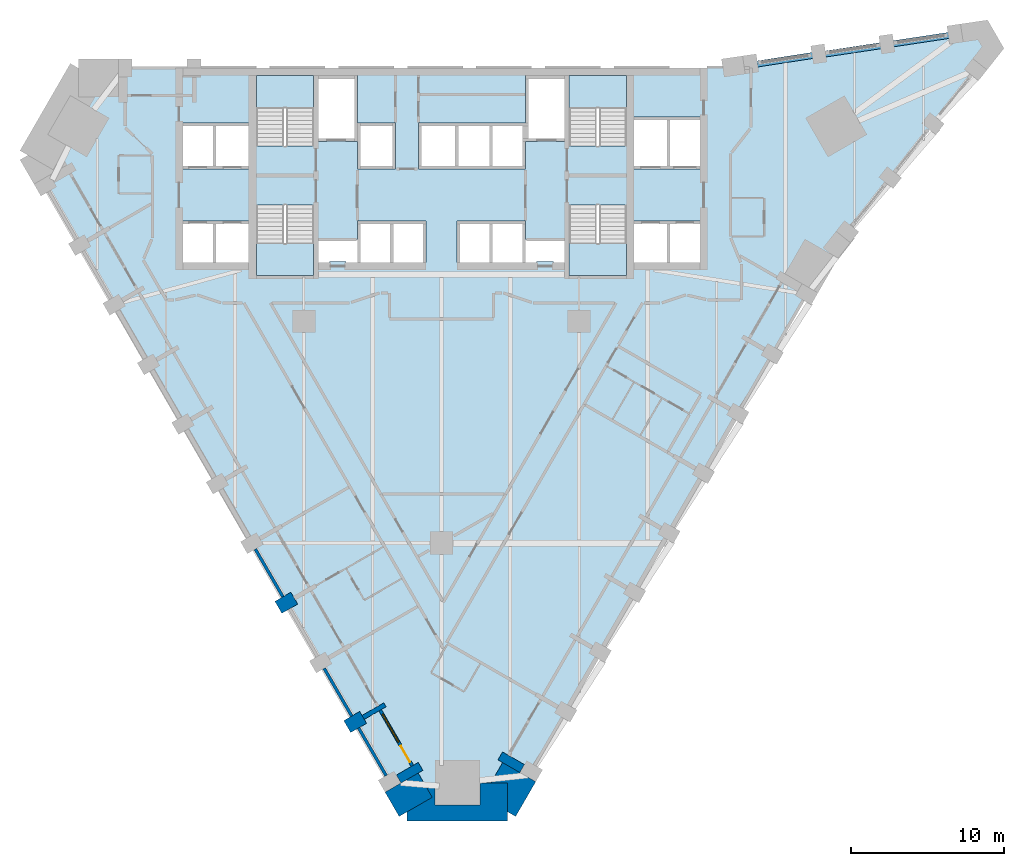
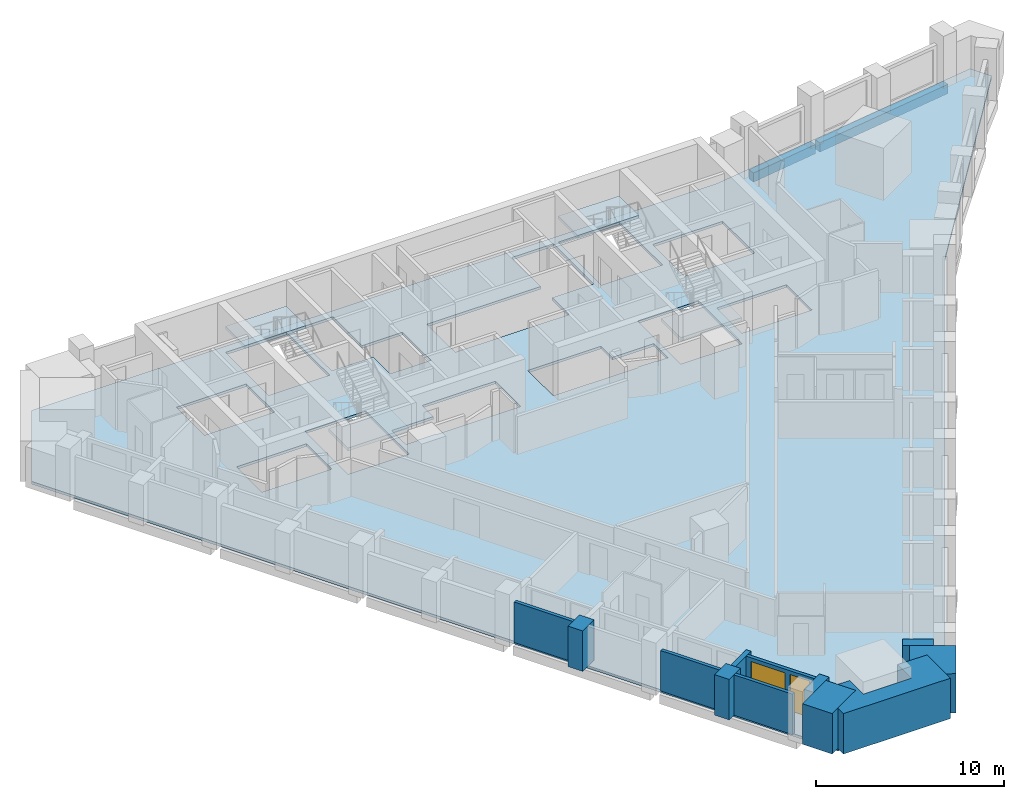
# One storey, part 2 of 10: 12 walls, 5 slabs, 2 beams, 1 door, 1 window, 2 openings, 4 elements without a shape of their own.
"""IFC4 building model written with IfcOpenShell, lengths in metres."""

from ifc_helpers import new_model, si_unit, direction, frame, frame_2d, origin, origin_2d, place, context, subcontext, project, spatial, polyline, rectangle, outline, extrude, material, layer, layer_set, material_profile, profile_set, type_object, element, fill, aggregate, save


model = new_model("IFC4")

# Units and contexts
model_context = context("Model", 3, precision=1e-05, world=origin(), true_north=direction((0.0, 1.0)))
body_context = subcontext(model_context, "Body", "Model", "MODEL_VIEW")
ifc_project = project(units=[si_unit("LENGTHUNIT", "METRE"), si_unit("AREAUNIT", "SQUARE_METRE"), si_unit("VOLUMEUNIT", "CUBIC_METRE"), si_unit("PLANEANGLEUNIT", "RADIAN"), si_unit("MASSUNIT", "GRAM", prefix="KILO")], contexts=[model_context])

# Site, building, storey
site_placement = place(None, origin())
site = spatial("IfcSite", under=ifc_project, at=site_placement, CompositionType="ELEMENT")
building_placement = place(site_placement, origin())
building = spatial("IfcBuilding", under=site, at=building_placement, Name="Calabash Gate Tower", CompositionType="ELEMENT")
storey_placement = place(building_placement, frame((0.0, 0.0, 102.0)))
storey = spatial("IfcBuildingStorey", under=building, at=storey_placement, Name="L22", CompositionType="ELEMENT", Elevation=102.0)

# Beams
ifc_material_1 = material(Name="Concrete C60/75", Category="concrete")
ifc_material_profile = material_profile(ifc_material_1, rectangle(XDim=0.39990234375, YDim=0.60009765625, at=origin_2d()))
ifc_profile_set = profile_set([ifc_material_profile], Name="Concrete C60/75")
beam_type = type_object("IfcBeamType", Name="Edge beam RC 400x600 Concrete C60/75", PredefinedType="BEAM", material=ifc_profile_set)
beam_1_placement = place(storey_placement, frame((33.737060546875, 21.27392578125, -0.469970703125), z_axis=(-0.988841625555, -0.148970599683, 0.0), x_axis=(0.148970599683, -0.988841625555, 0.0)))
element("IfcBeam", 1, at=beam_1_placement, inside=storey, type_object=beam_type, Name="Edge beam L22 15", PredefinedType="BEAM", context=body_context, shape_type="SweptSolid", body=[
    extrude(rectangle(XDim=0.39990234375, YDim=0.60009765625, at=origin_2d()), origin(), (0.0, 0.0, 1.0), 8.7333984375),
])
beam_2_placement = place(storey_placement, frame((24.83203125, 19.968017578125, -0.469970703125), z_axis=(-0.988255414285, -0.152811112607, 0.0), x_axis=(0.152811112607, -0.988255414285, 0.0)))
element("IfcBeam", 2, at=beam_2_placement, inside=storey, type_object=beam_type, Name="Edge beam L22 16", PredefinedType="BEAM", context=body_context, shape_type="SweptSolid", body=[
    extrude(rectangle(XDim=0.39990234375, YDim=0.60009765625, at=origin_2d()), origin(), (0.0, 0.0, 1.0), 4.23388671875),
])

# Slab
ifc_material_2 = material(Name="Concrete C40/50", Category="concrete")
ifc_layer_1 = layer(ifc_material_2, 0.169921875)
ifc_layer_set_1 = layer_set([ifc_layer_1], Name="Composite floor slab 170 Concrete C40/50")
slab_type_1 = type_object("IfcSlabType", Name="Composite floor slab 170 Concrete C40/50", PredefinedType="FLOOR", material=ifc_layer_set_1)
slab_1_placement = place(storey_placement, frame((0.0, 0.0, -0.169921875)))
element("IfcSlab", 3, at=slab_1_placement, inside=storey, type_object=slab_type_1, Name="Floor slab L22", PredefinedType="FLOOR", context=body_context, shape_type="SweptSolid", body=[
    extrude(outline(polyline([(-27.03125, 13.3544921875), (-23.741455078125, 19.052490234375), (18.4033203125, 19.052490234375), (35.385498046875, 21.54150390625), (36.050048828125, 20.390625), (25.4033203125, 6.92822265625), (4.3310546875, -29.5703125), (-2.24853515625, -29.5703125), (-27.03125, 13.3544921875)]), holes=[polyline([(-5.5, 9.052490234375), (-5.5, 7.8525390625), (-8.050048828125, 7.8525390625), (-8.050048828125, 6.3525390625), (-7.324951171875, 6.3525390625), (-7.324951171875, 6.402587890625), (-6.22509765625, 6.402587890625), (-6.22509765625, 6.3525390625), (-5.5, 6.3525390625), (-3.25, 6.3525390625), (-1.0, 6.3525390625), (-1.0, 9.052490234375), (-3.25, 9.052490234375), (-5.5, 9.052490234375)]), polyline([(5.5, 9.052490234375), (3.25, 9.052490234375), (1.0, 9.052490234375), (1.0, 6.3525390625), (3.25, 6.3525390625), (5.5, 6.3525390625), (6.22509765625, 6.3525390625), (6.22509765625, 6.402587890625), (7.324951171875, 6.402587890625), (7.324951171875, 6.3525390625), (8.050048828125, 6.3525390625), (8.050048828125, 7.8525390625), (5.5, 7.8525390625), (5.5, 9.052490234375)]), polyline([(-5.5, 14.252685546875), (-5.5, 12.45263671875), (-3.0, 12.45263671875), (-3.0, 15.45263671875), (-5.5, 15.45263671875), (-5.5, 18.552490234375), (-8.050048828125, 18.552490234375), (-8.050048828125, 14.252685546875), (-5.5, 14.252685546875)]), polyline([(8.050048828125, 18.552490234375), (5.5, 18.552490234375), (5.5, 15.45263671875), (3.25, 15.45263671875), (1.0, 15.45263671875), (-1.5, 15.45263671875), (-1.5, 12.45263671875), (1.0, 12.45263671875), (3.25, 12.45263671875), (5.5, 12.45263671875), (5.5, 14.252685546875), (8.050048828125, 14.252685546875), (8.050048828125, 18.552490234375)]), polyline([(-12.60009765625, 6.3525390625), (-12.60009765625, 9.052490234375), (-14.85009765625, 9.052490234375), (-16.89990234375, 9.052490234375), (-16.89990234375, 6.3525390625), (-14.85009765625, 6.3525390625), (-12.60009765625, 6.3525390625)]), polyline([(-14.85009765625, 12.45263671875), (-12.60009765625, 12.45263671875), (-12.60009765625, 15.45263671875), (-14.85009765625, 15.45263671875), (-16.89990234375, 15.45263671875), (-16.89990234375, 12.45263671875), (-14.85009765625, 12.45263671875)]), polyline([(14.85009765625, 6.3525390625), (16.89990234375, 6.3525390625), (16.89990234375, 9.052490234375), (14.85009765625, 9.052490234375), (12.60009765625, 9.052490234375), (12.60009765625, 6.3525390625), (14.85009765625, 6.3525390625)]), polyline([(14.85009765625, 12.45263671875), (16.89990234375, 12.45263671875), (16.89990234375, 15.8525390625), (14.85009765625, 15.8525390625), (12.60009765625, 15.8525390625), (12.60009765625, 12.45263671875), (14.85009765625, 12.45263671875)]), polyline([(-8.35009765625, 18.552490234375), (-12.10009765625, 18.552490234375), (-12.10009765625, 13.95263671875), (-8.35009765625, 13.95263671875), (-8.35009765625, 18.552490234375)]), polyline([(-12.10009765625, 10.1025390625), (-12.10009765625, 5.502685546875), (-8.35009765625, 5.502685546875), (-8.35009765625, 10.1025390625), (-12.10009765625, 10.1025390625)]), polyline([(8.35009765625, 13.95263671875), (12.10009765625, 13.95263671875), (12.10009765625, 18.552490234375), (8.35009765625, 18.552490234375), (8.35009765625, 13.95263671875)]), polyline([(12.10009765625, 5.502685546875), (12.10009765625, 10.1025390625), (8.35009765625, 10.1025390625), (8.35009765625, 5.502685546875), (12.10009765625, 5.502685546875)])]), origin(), (0.0, 0.0, 1.0), 0.169921875),
])

# Stair, slab
ifc_material_3 = material(Name="Concrete C40/50", Category="concrete")
stair_type = type_object("IfcStairType", Name="Exit stair 20 risers of 170 mm", PredefinedType="HALF_TURN_STAIR", material=ifc_material_3)
stair_1_placement = place(storey_placement, origin())
stair_1 = element("IfcStair", 4, at=stair_1_placement, inside=storey, type_object=stair_type, Name="L22 Exit stair ST1", PredefinedType="HALF_TURN_STAIR")
ifc_material_4 = material(Name="Concrete C40/50", Category="concrete")
ifc_layer_2 = layer(ifc_material_4, 0.199951171875)
ifc_layer_set_2 = layer_set([ifc_layer_2], Name="Stair landing SL200")
slab_type_2 = type_object("IfcSlabType", Name="Stair landing SL200", PredefinedType="LANDING", material=ifc_layer_set_2)
slab_2_placement = place(storey_placement, frame((0.0, 0.0, 1.5)))
slab_2 = element("IfcSlab", 5, at=slab_2_placement, type_object=slab_type_2, Name="ST1 landing 1", PredefinedType="LANDING", context=body_context, shape_type="SweptSolid", body=[
    extrude(outline(polyline([(-8.35009765625, 16.463623046875), (-8.35009765625, 18.552490234375), (-12.10009765625, 18.552490234375), (-12.10009765625, 16.463623046875), (-8.35009765625, 16.463623046875)])), origin(), (0.0, 0.0, 1.0), 0.199951171875),
])
aggregate(stair_1, [slab_2])

stair_2_placement = place(storey_placement, origin())
stair_2 = element("IfcStair", 6, at=stair_2_placement, inside=storey, type_object=stair_type, Name="L22 Exit stair ST2", PredefinedType="HALF_TURN_STAIR")
slab_3_placement = place(storey_placement, frame((0.0, 0.0, 1.5)))
slab_3 = element("IfcSlab", 7, at=slab_3_placement, type_object=slab_type_2, Name="ST2 landing 1", PredefinedType="LANDING", context=body_context, shape_type="SweptSolid", body=[
    extrude(outline(polyline([(-12.10009765625, 7.591552734375), (-12.10009765625, 5.502685546875), (-8.35009765625, 5.502685546875), (-8.35009765625, 7.591552734375), (-12.10009765625, 7.591552734375)])), origin(), (0.0, 0.0, 1.0), 0.199951171875),
])
aggregate(stair_2, [slab_3])

stair_3_placement = place(storey_placement, origin())
stair_3 = element("IfcStair", 8, at=stair_3_placement, inside=storey, type_object=stair_type, Name="L22 Exit stair ST3", PredefinedType="HALF_TURN_STAIR")
slab_4_placement = place(storey_placement, frame((0.0, 0.0, 1.5)))
slab_4 = element("IfcSlab", 9, at=slab_4_placement, type_object=slab_type_2, Name="ST3 landing 1", PredefinedType="LANDING", context=body_context, shape_type="SweptSolid", body=[
    extrude(outline(polyline([(12.10009765625, 16.463623046875), (12.10009765625, 18.552490234375), (8.35009765625, 18.552490234375), (8.35009765625, 16.463623046875), (12.10009765625, 16.463623046875)])), origin(), (0.0, 0.0, 1.0), 0.199951171875),
])
aggregate(stair_3, [slab_4])

stair_4_placement = place(storey_placement, origin())
stair_4 = element("IfcStair", 10, at=stair_4_placement, inside=storey, type_object=stair_type, Name="L22 Exit stair ST4", PredefinedType="HALF_TURN_STAIR")
slab_5_placement = place(storey_placement, frame((0.0, 0.0, 1.5)))
slab_5 = element("IfcSlab", 11, at=slab_5_placement, type_object=slab_type_2, Name="ST4 landing 1", PredefinedType="LANDING", context=body_context, shape_type="SweptSolid", body=[
    extrude(outline(polyline([(8.35009765625, 7.591552734375), (8.35009765625, 5.502685546875), (12.10009765625, 5.502685546875), (12.10009765625, 7.591552734375), (8.35009765625, 7.591552734375)])), origin(), (0.0, 0.0, 1.0), 0.199951171875),
])
aggregate(stair_4, [slab_5])

# Walls
ifc_material_5 = material(Name="Terracotta brick masonry, exposed face", Category="masonry")
ifc_layer_3 = layer(ifc_material_5, 2.5)
ifc_layer_set_3 = layer_set([ifc_layer_3], Name="Brick corner mass wall 2500")
wall_type_1 = type_object("IfcWallType", Name="Brick corner mass wall 2500", PredefinedType="SOLIDWALL", material=ifc_layer_set_3)
wall_1_placement = place(storey_placement, origin())
element("IfcWall", 12, at=wall_1_placement, inside=storey, type_object=wall_type_1, Name="Brick corner pier S06 1a", PredefinedType="SOLIDWALL", context=body_context, shape_type="SweptSolid", body=[
    extrude(outline(polyline([(-0.60302734375, -28.6201171875), (-1.51953125, -27.033203125), (-3.6845703125, -28.283203125), (-2.76806640625, -29.8701171875), (-0.60302734375, -28.6201171875)])), origin(), (0.0, 0.0, 1.0), 2.6298828125),
])
wall_2_placement = place(storey_placement, origin())
element("IfcWall", 13, at=wall_2_placement, inside=storey, type_object=wall_type_1, Name="Brick corner pier S06 1b", PredefinedType="SOLIDWALL", context=body_context, shape_type="SweptSolid", body=[
    extrude(outline(polyline([(-0.43408203125, -27.670166015625), (-1.151611328125, -27.670166015625), (-0.60302734375, -28.6201171875), (-2.24853515625, -29.5703125), (-2.24853515625, -30.170166015625), (4.3310546875, -30.170166015625), (4.3310546875, -27.670166015625), (2.51611328125, -27.670166015625), (2.51611328125, -29.1259765625), (-0.43408203125, -29.1259765625), (-0.43408203125, -27.670166015625)])), origin(), (0.0, 0.0, 1.0), 2.6298828125),
])
wall_3_placement = place(storey_placement, origin())
element("IfcWall", 14, at=wall_3_placement, inside=storey, type_object=wall_type_1, Name="Brick corner pier S06 1c", PredefinedType="SOLIDWALL", context=body_context, shape_type="SweptSolid", body=[
    extrude(outline(polyline([(6.161865234375, -27.59912109375), (3.996826171875, -26.34912109375), (3.23388671875, -27.670166015625), (4.3310546875, -27.670166015625), (4.3310546875, -29.5703125), (4.8505859375, -29.8701171875), (6.161865234375, -27.59912109375)])), origin(), (0.0, 0.0, 1.0), 2.552001953125),
])
ifc_material_6 = material(Name="Terracotta brick masonry, exposed face", Category="masonry")
ifc_layer_4 = layer(ifc_material_6, 1.199951171875)
ifc_layer_set_4 = layer_set([ifc_layer_4], Name="Brick end wall 1200")
wall_type_2 = type_object("IfcWallType", Name="Brick end wall 1200", PredefinedType="SOLIDWALL", material=ifc_layer_set_4)
for number, where, z_axis, x_axis, name in (
    (15, (-10.659423828125, -16.2021484375, 0.0), (0.0, 0.0, 1.0), (0.865955154139, 0.50012165622, 0.0), "Brick pier S06 SW0.7"),
    (16, (-6.159423828125, -23.996337890625, 0.0), (0.0, 0.0, 1.0), (0.865955154139, 0.50012165622, 0.0), "Brick pier S06 SW0.9"),
):
    element("IfcWall", number, at=place(storey_placement, frame(where, z_axis=z_axis, x_axis=x_axis)), inside=storey, type_object=wall_type_2, Name=name, PredefinedType="SOLIDWALL", context=body_context, shape_type="SweptSolid", body=[
        extrude(rectangle(XDim=1.199951171875, YDim=0.89990234375, at=frame_2d((0.60009765625, 0.0))), origin(), (0.0, 0.0, 1.0), 2.6298828125),
    ])
ifc_material_7 = material(Name="Terracotta brick masonry, exposed face", Category="masonry")
ifc_layer_5 = layer(ifc_material_7, 0.300048828125)
ifc_layer_set_5 = layer_set([ifc_layer_5], Name="Brick loggia cheek wall 300")
wall_type_3 = type_object("IfcWallType", Name="Brick loggia cheek wall 300", PredefinedType="SOLIDWALL", material=ifc_layer_set_5)
wall_4_placement = place(storey_placement, frame((-3.69140625, -22.5712890625, 0.0), z_axis=(0.0, 0.0, 1.0), x_axis=(-0.866040211805, -0.499974350878, 0.0)))
element("IfcWall", 17, at=wall_4_placement, inside=storey, type_object=wall_type_3, Name="Loggia cheek S06 SW0.9", PredefinedType="SOLIDWALL", context=body_context, shape_type="SweptSolid", body=[
    extrude(rectangle(XDim=1.64990234375, YDim=0.300048828125, at=frame_2d((0.824951171875, 0.0))), origin(), (0.0, 0.0, 1.0), 2.6279296875),
])
wall_5_placement = place(storey_placement, frame((-2.795166015625, -27.42333984375, 0.0), z_axis=(0.0, 0.0, 1.0), x_axis=(0.866040211805, 0.499974350878, 0.0)))
element("IfcWall", 18, at=wall_5_placement, inside=storey, type_object=wall_type_3, Name="Loggia cheek S06 SW0.10", PredefinedType="SOLIDWALL", context=body_context, shape_type="SweptSolid", body=[
    extrude(rectangle(XDim=1.64990234375, YDim=0.60009765625, at=frame_2d((0.824951171875, 0.0))), origin(), (0.0, 0.0, 1.0), 2.6298828125),
])
wall_6_placement = place(storey_placement, frame((5.2724609375, -26.739501953125, 0.0), z_axis=(0.0, 0.0, 1.0), x_axis=(-0.865976140824, 0.500085316245, 0.0)))
element("IfcWall", 19, at=wall_6_placement, inside=storey, type_object=wall_type_3, Name="Loggia cheek S06 SE2.0", PredefinedType="SOLIDWALL", context=body_context, shape_type="SweptSolid", body=[
    extrude(rectangle(XDim=1.650146484375, YDim=0.60009765625, at=frame_2d((0.8251953125, 0.0))), origin(), (0.0, 0.0, 1.0), 2.552001953125),
])
ifc_material_8 = material(Name="Terracotta brick masonry, perforated", Category="masonry")
ifc_layer_6 = layer(ifc_material_8, 0.199951171875)
ifc_layer_set_6 = layer_set([ifc_layer_6], Name="Terracotta jaali screen B")
wall_type_4 = type_object("IfcWallType", Name="Terracotta jaali screen B", PredefinedType="SOLIDWALL", material=ifc_layer_set_6)
for number, where, z_axis, x_axis, name in (
    (20, (-12.164794921875, -12.394775390625, 0.0), (0.0, 0.0, 1.0), (0.499961193289, -0.866047807691, 0.0), "SCREEN B S06 SW0.7"),
    (21, (-7.664794921875, -20.18896484375, 0.0), (0.0, 0.0, 1.0), (0.499961193289, -0.866047807691, 0.0), "SCREEN B S06 SW0.9"),
    (22, (-5.414794921875, -24.0859375, 0.0), (0.0, 0.0, 1.0), (0.499961193289, -0.866047807691, 0.0), "SCREEN B S06 SW0.10"),
):
    element("IfcWall", number, at=place(storey_placement, frame(where, z_axis=z_axis, x_axis=x_axis)), inside=storey, type_object=wall_type_4, Name=name, PredefinedType="SOLIDWALL", context=body_context, shape_type="SweptSolid", body=[
        extrude(rectangle(XDim=3.599853515625, YDim=0.199951171875, at=frame_2d((1.7998046875, 0.0))), origin(), (0.0, 0.0, 1.0), 2.6298828125),
    ])

# Wall, openings, door, window
ifc_material_9 = material(Name="Aluminium framed window wall with insulated spandrel", Category="aluminium")
ifc_layer_7 = layer(ifc_material_9, 0.199951171875)
ifc_layer_set_7 = layer_set([ifc_layer_7], Name="Window wall 200")
wall_type_5 = type_object("IfcWallType", Name="Window wall 200", PredefinedType="ELEMENTEDWALL", material=ifc_layer_set_7)
wall_7_placement = place(storey_placement, frame((-4.006103515625, -22.92626953125, 0.0), z_axis=(0.0, 0.0, 1.0), x_axis=(0.500027713859, -0.866009402589, 0.0)))
wall_7 = element("IfcWall", 23, at=wall_7_placement, inside=storey, type_object=wall_type_5, Name="Window wall S06 SW0.10", PredefinedType="ELEMENTEDWALL", context=body_context, shape_type="SweptSolid", body=[
    extrude(rectangle(XDim=4.199951171875, YDim=0.199951171875, at=frame_2d((2.10009765625, 0.0))), origin(), (0.0, 0.0, 1.0), 2.64990234375),
])
opening_1_placement = place(wall_7_placement, frame((0.300048828125, 0.0, 0.60009765625)))
opening_1 = element("IfcOpeningElement", 24, at=opening_1_placement, cuts=wall_7, Name="Opening HW1", PredefinedType="OPENING", context=body_context, shape_type="SweptSolid", body=[
    extrude(rectangle(XDim=2.10009765625, YDim=1.800048828125, at=frame_2d((1.050048828125, 0.89990234375))), frame((0.0, 0.10986328125, 0.0), z_axis=(0.0, -1.0, 0.0), x_axis=(1.0, 0.0, 0.0)), (0.0, 0.0, 1.0), 0.219970703125),
])
opening_2_placement = place(wall_7_placement, frame((2.699951171875, 0.0, 0.0)))
opening_2 = element("IfcOpeningElement", 25, at=opening_2_placement, cuts=wall_7, Name="Opening H6-026", PredefinedType="OPENING", context=body_context, shape_type="SweptSolid", body=[
    extrude(rectangle(XDim=1.199951171875, YDim=2.39990234375, at=frame_2d((0.60009765625, 1.199951171875))), frame((0.0, 0.10986328125, 0.0), z_axis=(0.0, -1.0, 0.0), x_axis=(1.0, 0.0, 0.0)), (0.0, 0.0, 1.0), 0.219970703125),
])
ifc_material_10 = material(Name="Anodised aluminium frame, bronze finish, impact-rated laminated clear glazing", Category="aluminium")
door_type = type_object("IfcDoorType", Name="Loggia door DH1 1200x2400", OperationType="SLIDING_TO_LEFT", PredefinedType="DOOR", material=ifc_material_10)
door_placement = place(opening_2_placement, origin())
door = element("IfcDoor", 26, at=door_placement, inside=storey, type_object=door_type, Name="Loggia door S06 SW0.10", OperationType="SINGLE_SWING_LEFT", OverallHeight=2.39990234375, OverallWidth=1.199951171875, PredefinedType="DOOR", context=body_context, shape_type="SweptSolid", body=[
    extrude(rectangle(XDim=1.199951171875, YDim=2.39990234375, at=frame_2d((0.60009765625, 1.199951171875))), frame((0.0, 0.02490234375, 0.0), z_axis=(0.0, -1.0, 0.0), x_axis=(1.0, 0.0, 0.0)), (0.0, 0.0, 1.0), 0.050048828125),
])
fill(opening_2, door)
ifc_material_11 = material(Name="Anodised aluminium frame, bronze finish, impact-rated laminated clear glazing", Category="aluminium")
window_type = type_object("IfcWindowType", Name="Window HW1 2100x1800", PartitioningType="DOUBLE_PANEL_VERTICAL", PredefinedType="WINDOW", material=ifc_material_11)
window_placement = place(opening_1_placement, origin())
window = element("IfcWindow", 27, at=window_placement, inside=storey, type_object=window_type, Name="Window HW1 S06 SW0.10", OverallHeight=1.800048828125, OverallWidth=2.10009765625, PartitioningType="SINGLE_PANEL", PredefinedType="WINDOW", context=body_context, shape_type="SweptSolid", body=[
    extrude(rectangle(XDim=2.10009765625, YDim=1.800048828125, at=frame_2d((1.050048828125, 0.89990234375))), frame((0.0, 0.030029296875, 0.0), z_axis=(0.0, -1.0, 0.0), x_axis=(1.0, 0.0, 0.0)), (0.0, 0.0, 1.0), 0.06005859375),
])
fill(opening_1, window)

save(model, "model.ifc")
